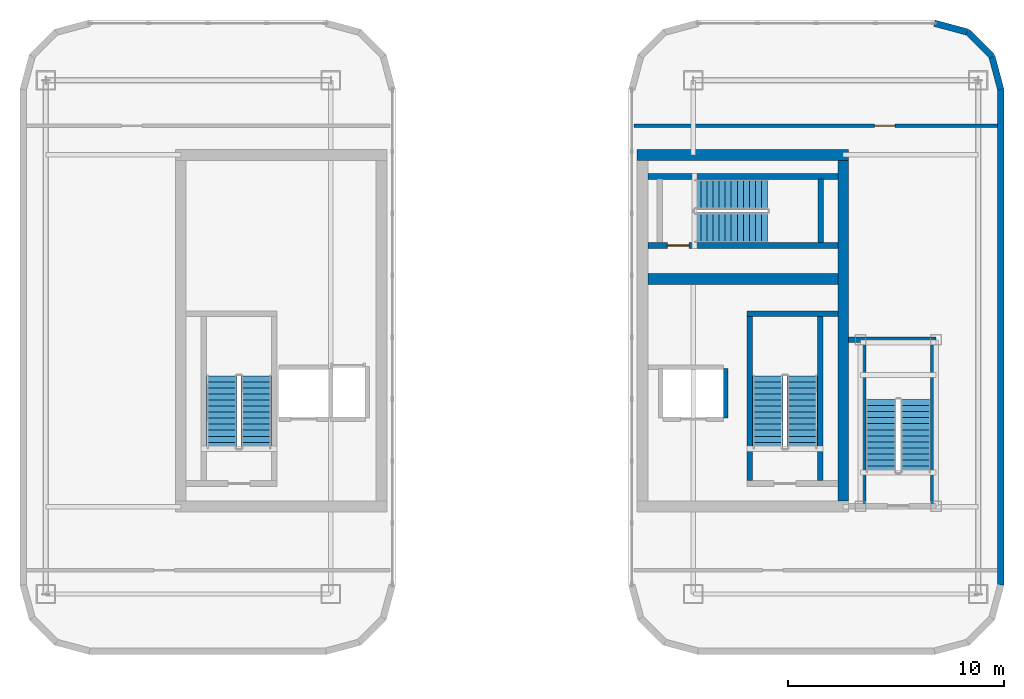
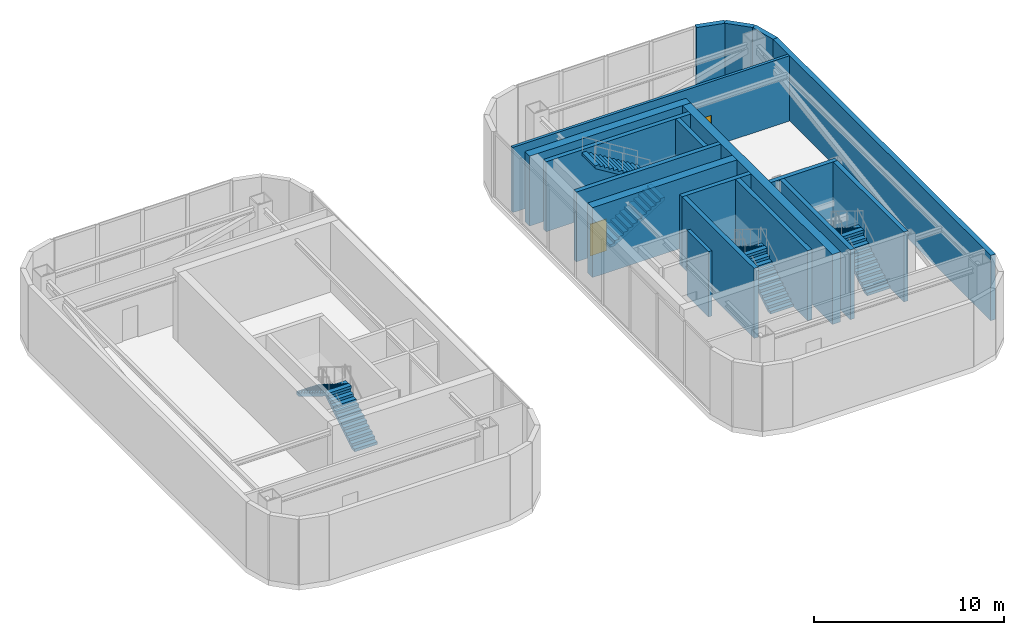
# One storey, part 12 of 14: 18 walls, 8 stair flights, 2 doors, 2 openings, 4 elements without a shape of their own.
"""IFC4 building model written with IfcOpenShell, lengths in metres."""

from ifc_helpers import new_model, si_unit, direction, frame, frame_2d, origin, place, context, subcontext, project, spatial, polyline, rectangle, outline, extrude, material, layer, layer_set, type_object, element, fill, aggregate, save


model = new_model("IFC4")

# Units and contexts
model_context = context("Model", 3, precision=1e-05, world=origin(), true_north=direction((0.0, 1.0)))
body_context = subcontext(model_context, "Body", "Model", "MODEL_VIEW")
ifc_project = project(units=[si_unit("LENGTHUNIT", "METRE"), si_unit("AREAUNIT", "SQUARE_METRE"), si_unit("VOLUMEUNIT", "CUBIC_METRE"), si_unit("PLANEANGLEUNIT", "RADIAN"), si_unit("MASSUNIT", "GRAM", prefix="KILO")], contexts=[model_context])

# Site, building, storey
site_placement = place(None, origin())
site = spatial("IfcSite", under=ifc_project, at=site_placement, CompositionType="ELEMENT")
building_placement = place(site_placement, origin())
building = spatial("IfcBuilding", under=site, at=building_placement, Name="Kiyonajd Concourse Tower", CompositionType="ELEMENT")
storey_placement = place(building_placement, frame((0.0, 0.0, 359.39990234375)))
storey = spatial("IfcBuildingStorey", under=building, at=storey_placement, Name="L90", CompositionType="ELEMENT", Elevation=359.39990234375)

# Walls
ifc_material_1 = material(Name="Concrete C60/75", Category="concrete")
ifc_layer_1 = layer(ifc_material_1, 0.5)
ifc_layer_set_1 = layer_set([ifc_layer_1], Name="Concrete C60/75")
wall_type_1 = type_object("IfcWallType", Name="WL-CORE-500", PredefinedType="SHEAR", material=ifc_layer_set_1)
wall_1_placement = place(storey_placement, frame((63.35009765625, 28.10009765625, 0.0), z_axis=(0.0, 0.0, 1.0), x_axis=(0.0, 1.0, 0.0)))
element("IfcWall", 1, at=wall_1_placement, inside=storey, type_object=wall_type_1, Name="L90 East Crown Outer Core Wall", PredefinedType="SHEAR", context=body_context, shape_type="SweptSolid", body=[
    extrude(rectangle(XDim=15.7998046875, YDim=0.5, at=frame_2d((7.89990234375, 0.0))), origin(), (0.0, 0.0, 1.0), 4.5),
])
wall_2_placement = place(storey_placement, frame((53.800048828125, 44.14990234375, 0.0), z_axis=(0.0, 0.0, 1.0), x_axis=(1.0, 0.0, 0.0)))
element("IfcWall", 2, at=wall_2_placement, inside=storey, type_object=wall_type_1, Name="L90 East Crown North Core Wall", PredefinedType="SHEAR", context=body_context, shape_type="SweptSolid", body=[
    extrude(rectangle(XDim=9.800048828125, YDim=0.5, at=frame_2d((4.89990234375, 0.0))), origin(), (0.0, 0.0, 1.0), 4.5),
])
wall_3_placement = place(storey_placement, frame((54.300048828125, 38.39990234375, 0.0), z_axis=(0.0, 0.0, 1.0), x_axis=(1.0, 0.0, 0.0)))
element("IfcWall", 3, at=wall_3_placement, inside=storey, type_object=wall_type_1, Name="L90 East Crown Mast Cross Shear Wall", PredefinedType="SHEAR", context=body_context, shape_type="SweptSolid", body=[
    extrude(rectangle(XDim=8.800048828125, YDim=0.5, at=frame_2d((4.39990234375, 0.0))), origin(), (0.0, 0.0, 1.0), 4.5),
])
ifc_material_2 = material(Name="Precast concrete C50/60", Category="concrete")
ifc_layer_2 = layer(ifc_material_2, 0.300048828125)
ifc_layer_set_2 = layer_set([ifc_layer_2], Name="Precast concrete C50/60")
wall_type_2 = type_object("IfcWallType", Name="WL-CRN-300", PredefinedType="SOLIDWALL", material=ifc_layer_set_2)
wall_4_placement = place(storey_placement, frame((67.580078125, 50.25, 0.0), z_axis=(0.0, 0.0, 1.0), x_axis=(0.96587363116, -0.259013761467, 0.0)))
element("IfcWall", 4, at=wall_4_placement, inside=storey, type_object=wall_type_2, Name="L90 E Crown Enclosure Wall 06", PredefinedType="SOLIDWALL", context=body_context, shape_type="SweptSolid", body=[
    extrude(rectangle(XDim=1.5966796875, YDim=0.300048828125, at=frame_2d((0.79833984375, 0.0))), origin(), (0.0, 0.0, 1.0), 4.2001953125),
])
wall_5_placement = place(storey_placement, frame((69.122314453125, 49.83642578125, 0.0), z_axis=(0.0, 0.0, 1.0), x_axis=(0.707184251115, -0.707029302769, 0.0)))
element("IfcWall", 5, at=wall_5_placement, inside=storey, type_object=wall_type_2, Name="L90 E Crown Enclosure Wall 07", PredefinedType="SOLIDWALL", context=body_context, shape_type="SweptSolid", body=[
    extrude(rectangle(XDim=1.57568359375, YDim=0.300048828125, at=frame_2d((0.787841796875, 0.0))), origin(), (0.0, 0.0, 1.0), 4.2001953125),
])
wall_6_placement = place(storey_placement, frame((70.236572265625, 48.722412109375, 0.0), z_axis=(0.0, 0.0, 1.0), x_axis=(0.258871110129, -0.965911874003, 0.0)))
element("IfcWall", 6, at=wall_6_placement, inside=storey, type_object=wall_type_2, Name="L90 E Crown Enclosure Wall 08", PredefinedType="SOLIDWALL", context=body_context, shape_type="SweptSolid", body=[
    extrude(rectangle(XDim=1.5966796875, YDim=0.300048828125, at=frame_2d((0.79833984375, 0.0))), origin(), (0.0, 0.0, 1.0), 4.2001953125),
])
wall_7_placement = place(storey_placement, frame((70.64990234375, 47.18017578125, 0.0), z_axis=(0.0, 0.0, 1.0), x_axis=(0.0, -1.0, 0.0)))
element("IfcWall", 7, at=wall_7_placement, inside=storey, type_object=wall_type_2, Name="L90 E Crown Enclosure Wall 09", PredefinedType="SOLIDWALL", context=body_context, shape_type="SweptSolid", body=[
    extrude(rectangle(XDim=22.96044921875, YDim=0.300048828125, at=frame_2d((11.480224609375, 0.0))), origin(), (0.0, 0.0, 1.0), 4.2001953125),
])
ifc_material_3 = material(Name="Gypsum Board on Cold-Formed Steel Stud", Category="steel")
ifc_layer_3 = layer(ifc_material_3, 0.2099609375)
ifc_layer_set_3 = layer_set([ifc_layer_3], Name="Gypsum Board on Cold-Formed Steel Stud")
wall_type_3 = type_object("IfcWallType", Name="WL-SHAFT-210", PredefinedType="PARTITIONING", material=ifc_layer_set_3)
wall_8_placement = place(storey_placement, frame((57.89990234375, 31.9599609375, 0.0), z_axis=(0.0, 0.0, 1.0), x_axis=(0.0, 1.0, 0.0)))
element("IfcWall", 8, at=wall_8_placement, inside=storey, type_object=wall_type_3, Name="L90 Shaft Enclosure Wall", PredefinedType="PARTITIONING", context=body_context, shape_type="SweptSolid", body=[
    extrude(rectangle(XDim=2.280029296875, YDim=0.2099609375, at=frame_2d((1.14013671875, 0.0))), origin(), (0.0, 0.0, 1.0), 4.2001953125),
])

# Wall, opening, door
ifc_layer_4 = layer(ifc_material_3, 0.169921875)
ifc_layer_set_4 = layer_set([ifc_layer_4], Name="Gypsum Board on Cold-Formed Steel Stud")
wall_type_4 = type_object("IfcWallType", Name="WL-SMK-170", PredefinedType="PARTITIONING", material=ifc_layer_set_4)
wall_9_placement = place(storey_placement, frame((53.655029296875, 45.5, 0.0), z_axis=(0.0, 0.0, 1.0), x_axis=(1.0, 0.0, 0.0)))
wall_9 = element("IfcWall", 9, at=wall_9_placement, inside=storey, type_object=wall_type_4, Name="L90 Interior Partition Wall", PredefinedType="PARTITIONING", context=body_context, shape_type="SweptSolid", body=[
    extrude(rectangle(XDim=16.849853515625, YDim=0.169921875, at=frame_2d((8.4248046875, 0.0))), origin(), (0.0, 0.0, 1.0), 4.2001953125),
])
opening_1_placement = place(wall_9_placement, frame((11.14501953125, 0.0, 0.0)))
opening_1 = element("IfcOpeningElement", 10, at=opening_1_placement, cuts=wall_9, Name="Opening DF3", PredefinedType="OPENING", context=body_context, shape_type="SweptSolid", body=[
    extrude(rectangle(XDim=0.949951171875, YDim=2.0400390625, at=frame_2d((0.47509765625, 1.02001953125))), frame((0.0, 0.094970703125, 0.0), z_axis=(0.0, -1.0, 0.0), x_axis=(1.0, 0.0, 0.0)), (0.0, 0.0, 1.0), 0.18994140625),
])
ifc_material_4 = material(Name="Brushed Stainless Steel Cab Assembly", Category="steel")
door_type_1 = type_object("IfcDoorType", Name="DR-FD60-950", OperationType="NOTDEFINED", PredefinedType="DOOR", material=ifc_material_4)
door_1_placement = place(opening_1_placement, origin())
door_1 = element("IfcDoor", 11, at=door_1_placement, inside=storey, type_object=door_type_1, Name="L90 Interior Door", OperationType="SINGLE_SWING_LEFT", OverallHeight=2.0400390625, OverallWidth=0.949951171875, PredefinedType="DOOR", context=body_context, shape_type="SweptSolid", body=[
    extrude(rectangle(XDim=0.949951171875, YDim=2.0400390625, at=frame_2d((0.47509765625, 1.02001953125))), frame((0.0, 0.02490234375, 0.0), z_axis=(0.0, -1.0, 0.0), x_axis=(1.0, 0.0, 0.0)), (0.0, 0.0, 1.0), 0.050048828125),
])
fill(opening_1, door_1)

# Walls
ifc_material_5 = material(Name="Concrete C50/60", Category="concrete")
ifc_layer_5 = layer(ifc_material_5, 0.260009765625)
ifc_layer_set_5 = layer_set([ifc_layer_5], Name="Concrete C50/60")
wall_type_5 = type_object("IfcWallType", Name="WL-STAIR-260", PredefinedType="SHEAR", material=ifc_layer_set_5)
wall_10_placement = place(storey_placement, frame((58.889892578125, 36.780029296875, 0.0), z_axis=(0.0, 0.0, 1.0), x_axis=(1.0, 0.0, 0.0)))
element("IfcWall", 12, at=wall_10_placement, inside=storey, type_object=wall_type_5, Name="L90 Stair ST2 Structural North Wall", PredefinedType="SHEAR", context=body_context, shape_type="SweptSolid", body=[
    extrude(rectangle(XDim=4.210205078125, YDim=0.260009765625, at=frame_2d((2.10498046875, 0.0))), origin(), (0.0, 0.0, 1.0), 4.5),
])
for number, where, z_axis, x_axis, name in (
    (13, (59.02001953125, 29.050048828125, 0.0), (0.0, 0.0, 1.0), (0.0, 1.0, 0.0), "L90 Stair ST2 Structural West Wall"),
    (14, (62.280029296875, 29.050048828125, 0.0), (0.0, 0.0, 1.0), (0.0, 1.0, 0.0), "L90 Stair ST2 Structural East Wall"),
):
    element("IfcWall", number, at=place(storey_placement, frame(where, z_axis=z_axis, x_axis=x_axis)), inside=storey, type_object=wall_type_5, Name=name, PredefinedType="SHEAR", context=body_context, shape_type="SweptSolid", body=[
        extrude(rectangle(XDim=7.599853515625, YDim=0.260009765625, at=frame_2d((3.7998046875, 0.0))), origin(), (0.0, 0.0, 1.0), 4.5),
    ])

# Wall, opening, door
wall_11_placement = place(storey_placement, frame((54.300048828125, 39.949951171875, 0.0), z_axis=(0.0, 0.0, 1.0), x_axis=(1.0, 0.0, 0.0)))
wall_11 = element("IfcWall", 15, at=wall_11_placement, inside=storey, type_object=wall_type_5, Name="L90 Stair ST3 Structural South Wall", PredefinedType="SHEAR", context=body_context, shape_type="SweptSolid", body=[
    extrude(rectangle(XDim=8.800048828125, YDim=0.260009765625, at=frame_2d((4.39990234375, 0.0))), origin(), (0.0, 0.0, 1.0), 4.5),
])
opening_2_placement = place(wall_11_placement, frame((0.89990234375, 0.0, 0.0)))
opening_2 = element("IfcOpeningElement", 16, at=opening_2_placement, cuts=wall_11, Name="Opening DF1", PredefinedType="OPENING", context=body_context, shape_type="SweptSolid", body=[
    extrude(rectangle(XDim=1.0, YDim=2.0400390625, at=frame_2d((0.5, 1.02001953125))), frame((0.0, 0.139892578125, 0.0), z_axis=(0.0, -1.0, 0.0), x_axis=(1.0, 0.0, 0.0)), (0.0, 0.0, 1.0), 0.280029296875),
])
door_type_2 = type_object("IfcDoorType", Name="DR-FD90-1000", OperationType="NOTDEFINED", PredefinedType="DOOR", material=ifc_material_4)
door_2_placement = place(opening_2_placement, origin())
door_2 = element("IfcDoor", 17, at=door_2_placement, inside=storey, type_object=door_type_2, Name="L90 Stair ST3 Enclosure Door", OperationType="SINGLE_SWING_LEFT", OverallHeight=2.0400390625, OverallWidth=1.0, PredefinedType="DOOR", context=body_context, shape_type="SweptSolid", body=[
    extrude(rectangle(XDim=1.0, YDim=2.0400390625, at=frame_2d((0.5, 1.02001953125))), frame((0.0, 0.02490234375, 0.0), z_axis=(0.0, -1.0, 0.0), x_axis=(1.0, 0.0, 0.0)), (0.0, 0.0, 1.0), 0.050048828125),
])
fill(opening_2, door_2)

# Walls
wall_12_placement = place(storey_placement, frame((54.300048828125, 43.14990234375, 0.0), z_axis=(0.0, 0.0, 1.0), x_axis=(1.0, 0.0, 0.0)))
element("IfcWall", 18, at=wall_12_placement, inside=storey, type_object=wall_type_5, Name="L90 Stair ST3 Structural North Wall", PredefinedType="SHEAR", context=body_context, shape_type="SweptSolid", body=[
    extrude(rectangle(XDim=8.800048828125, YDim=0.260009765625, at=frame_2d((4.39990234375, 0.0))), origin(), (0.0, 0.0, 1.0), 4.5),
])
wall_13_placement = place(storey_placement, frame((62.31005859375, 40.080078125, 0.0), z_axis=(0.0, 0.0, 1.0), x_axis=(0.0, 1.0, 0.0)))
element("IfcWall", 19, at=wall_13_placement, inside=storey, type_object=wall_type_5, Name="L90 Stair ST3 Structural East Wall", PredefinedType="SHEAR", context=body_context, shape_type="SweptSolid", body=[
    extrude(rectangle(XDim=2.93994140625, YDim=0.260009765625, at=frame_2d((1.469970703125, 0.0))), origin(), (0.0, 0.0, 1.0), 4.5),
])
wall_14_placement = place(storey_placement, frame((63.60009765625, 35.580078125, 0.0), z_axis=(0.0, 0.0, 1.0), x_axis=(1.0, 0.0, 0.0)))
element("IfcWall", 20, at=wall_14_placement, inside=storey, type_object=wall_type_5, Name="L90 Stair ST6 Structural North Wall", PredefinedType="SHEAR", context=body_context, shape_type="SweptSolid", body=[
    extrude(rectangle(XDim=4.059814453125, YDim=0.260009765625, at=frame_2d((2.02978515625, 0.0))), origin(), (0.0, 0.0, 1.0), 4.5),
])
for number, where, z_axis, x_axis, name in (
    (21, (64.27001953125, 28.0, 0.0), (0.0, 0.0, 1.0), (0.0, 1.0, 0.0), "L90 Stair ST6 Structural West Wall"),
    (22, (67.530029296875, 28.0, 0.0), (0.0, 0.0, 1.0), (0.0, 1.0, 0.0), "L90 Stair ST6 Structural East Wall"),
):
    element("IfcWall", number, at=place(storey_placement, frame(where, z_axis=z_axis, x_axis=x_axis)), inside=storey, type_object=wall_type_5, Name=name, PredefinedType="SHEAR", context=body_context, shape_type="SweptSolid", body=[
        extrude(rectangle(XDim=7.449951171875, YDim=0.260009765625, at=frame_2d((3.72509765625, 0.0))), origin(), (0.0, 0.0, 1.0), 4.5),
    ])

# Stair, stair flights
ifc_material_6 = material(Name="Concrete C40/50", Category="concrete")
stair_type = type_object("IfcStairType", Name="ST-DLG-26R", PredefinedType="HALF_TURN_STAIR", material=ifc_material_6)
stair_1_placement = place(storey_placement, origin())
stair_1 = element("IfcStair", 23, at=stair_1_placement, inside=storey, type_object=stair_type, Name="L90 Protected Exit Stair ST1", PredefinedType="HALF_TURN_STAIR")
stair_flight_type = type_object("IfcStairFlightType", Name="SF-STR-26R", PredefinedType="STRAIGHT", material=ifc_material_6)
stair_flight_1_placement = place(storey_placement, frame((36.14990234375, 30.550048828125, 0.0), z_axis=(0.0, 0.0, 1.0), x_axis=(0.0, 1.0, 0.0)))
stair_flight_1 = element("IfcStairFlight", 24, at=stair_flight_1_placement, type_object=stair_flight_type, Name="ST1 flight 1", NumberOfRisers=13, NumberOfTreads=12, PredefinedType="STRAIGHT", RiserHeight=0.173076923, TreadLength=0.28, context=body_context, shape_type="SweptSolid", body=[
    extrude(outline(polyline([(0.0, 0.0), (0.0, 0.173095703125), (0.280029296875, 0.173095703125), (0.280029296875, 0.34619140625), (0.56005859375, 0.34619140625), (0.56005859375, 0.519287109375), (0.840087890625, 0.519287109375), (0.840087890625, 0.6923828125), (1.1201171875, 0.6923828125), (1.1201171875, 0.865478515625), (1.39990234375, 0.865478515625), (1.39990234375, 1.03857421875), (1.679931640625, 1.03857421875), (1.679931640625, 1.21142578125), (1.9599609375, 1.21142578125), (1.9599609375, 1.384521484375), (2.239990234375, 1.384521484375), (2.239990234375, 1.5576171875), (2.52001953125, 1.5576171875), (2.52001953125, 1.730712890625), (2.800048828125, 1.730712890625), (2.800048828125, 1.90380859375), (3.080078125, 1.90380859375), (3.080078125, 2.076904296875), (3.360107421875, 2.076904296875), (3.360107421875, 2.25), (3.360107421875, 1.900634765625), (0.28515625, 0.0), (0.0, 0.0)])), frame((0.0, 0.699951171875, 0.0), z_axis=(0.0, -1.0, 0.0), x_axis=(1.0, 0.0, 0.0)), (0.0, 0.0, 1.0), 1.39990234375),
])
stair_flight_2_placement = place(storey_placement, frame((34.550048828125, 33.909912109375, 2.25), z_axis=(0.0, 0.0, 1.0), x_axis=(0.0, -1.0, 0.0)))
stair_flight_2 = element("IfcStairFlight", 25, at=stair_flight_2_placement, type_object=stair_flight_type, Name="ST1 flight 2", NumberOfRisers=13, NumberOfTreads=12, PredefinedType="STRAIGHT", RiserHeight=0.173076923, TreadLength=0.28, context=body_context, shape_type="SweptSolid", body=[
    extrude(outline(polyline([(0.0, 0.0), (0.0, 0.173095703125), (0.280029296875, 0.173095703125), (0.280029296875, 0.34619140625), (0.56005859375, 0.34619140625), (0.56005859375, 0.519287109375), (0.840087890625, 0.519287109375), (0.840087890625, 0.6923828125), (1.1201171875, 0.6923828125), (1.1201171875, 0.865478515625), (1.39990234375, 0.865478515625), (1.39990234375, 1.03857421875), (1.679931640625, 1.03857421875), (1.679931640625, 1.21142578125), (1.9599609375, 1.21142578125), (1.9599609375, 1.384521484375), (2.239990234375, 1.384521484375), (2.239990234375, 1.5576171875), (2.52001953125, 1.5576171875), (2.52001953125, 1.730712890625), (2.800048828125, 1.730712890625), (2.800048828125, 1.90380859375), (3.080078125, 1.90380859375), (3.080078125, 2.076904296875), (3.360107421875, 2.076904296875), (3.360107421875, 2.25), (3.360107421875, 1.900634765625), (0.28515625, 0.0), (0.0, 0.0)])), frame((0.0, 0.699951171875, 0.0), z_axis=(0.0, -1.0, 0.0), x_axis=(1.0, 0.0, 0.0)), (0.0, 0.0, 1.0), 1.39990234375),
])
aggregate(stair_1, [stair_flight_1, stair_flight_2])

stair_2_placement = place(storey_placement, origin())
stair_2 = element("IfcStair", 26, at=stair_2_placement, inside=storey, type_object=stair_type, Name="L90 Protected Exit Stair ST2", PredefinedType="HALF_TURN_STAIR")
stair_flight_3_placement = place(storey_placement, frame((61.449951171875, 30.550048828125, 0.0), z_axis=(0.0, 0.0, 1.0), x_axis=(0.0, 1.0, 0.0)))
stair_flight_3 = element("IfcStairFlight", 27, at=stair_flight_3_placement, type_object=stair_flight_type, Name="ST2 flight 1", NumberOfRisers=13, NumberOfTreads=12, PredefinedType="STRAIGHT", RiserHeight=0.173076923, TreadLength=0.28, context=body_context, shape_type="SweptSolid", body=[
    extrude(outline(polyline([(0.0, 0.0), (0.0, 0.173095703125), (0.280029296875, 0.173095703125), (0.280029296875, 0.34619140625), (0.56005859375, 0.34619140625), (0.56005859375, 0.519287109375), (0.840087890625, 0.519287109375), (0.840087890625, 0.6923828125), (1.1201171875, 0.6923828125), (1.1201171875, 0.865478515625), (1.39990234375, 0.865478515625), (1.39990234375, 1.03857421875), (1.679931640625, 1.03857421875), (1.679931640625, 1.21142578125), (1.9599609375, 1.21142578125), (1.9599609375, 1.384521484375), (2.239990234375, 1.384521484375), (2.239990234375, 1.5576171875), (2.52001953125, 1.5576171875), (2.52001953125, 1.730712890625), (2.800048828125, 1.730712890625), (2.800048828125, 1.90380859375), (3.080078125, 1.90380859375), (3.080078125, 2.076904296875), (3.360107421875, 2.076904296875), (3.360107421875, 2.25), (3.360107421875, 1.900634765625), (0.28515625, 0.0), (0.0, 0.0)])), frame((0.0, 0.699951171875, 0.0), z_axis=(0.0, -1.0, 0.0), x_axis=(1.0, 0.0, 0.0)), (0.0, 0.0, 1.0), 1.39990234375),
])
stair_flight_4_placement = place(storey_placement, frame((59.85009765625, 33.909912109375, 2.25), z_axis=(0.0, 0.0, 1.0), x_axis=(0.0, -1.0, 0.0)))
stair_flight_4 = element("IfcStairFlight", 28, at=stair_flight_4_placement, type_object=stair_flight_type, Name="ST2 flight 2", NumberOfRisers=13, NumberOfTreads=12, PredefinedType="STRAIGHT", RiserHeight=0.173076923, TreadLength=0.28, context=body_context, shape_type="SweptSolid", body=[
    extrude(outline(polyline([(0.0, 0.0), (0.0, 0.173095703125), (0.280029296875, 0.173095703125), (0.280029296875, 0.34619140625), (0.56005859375, 0.34619140625), (0.56005859375, 0.519287109375), (0.840087890625, 0.519287109375), (0.840087890625, 0.6923828125), (1.1201171875, 0.6923828125), (1.1201171875, 0.865478515625), (1.39990234375, 0.865478515625), (1.39990234375, 1.03857421875), (1.679931640625, 1.03857421875), (1.679931640625, 1.21142578125), (1.9599609375, 1.21142578125), (1.9599609375, 1.384521484375), (2.239990234375, 1.384521484375), (2.239990234375, 1.5576171875), (2.52001953125, 1.5576171875), (2.52001953125, 1.730712890625), (2.800048828125, 1.730712890625), (2.800048828125, 1.90380859375), (3.080078125, 1.90380859375), (3.080078125, 2.076904296875), (3.360107421875, 2.076904296875), (3.360107421875, 2.25), (3.360107421875, 1.900634765625), (0.28515625, 0.0), (0.0, 0.0)])), frame((0.0, 0.699951171875, 0.0), z_axis=(0.0, -1.0, 0.0), x_axis=(1.0, 0.0, 0.0)), (0.0, 0.0, 1.0), 1.39990234375),
])
aggregate(stair_2, [stair_flight_3, stair_flight_4])

stair_3_placement = place(storey_placement, origin())
stair_3 = element("IfcStair", 29, at=stair_3_placement, inside=storey, type_object=stair_type, Name="L90 Protected Exit Stair ST3", PredefinedType="HALF_TURN_STAIR")
stair_flight_5_placement = place(storey_placement, frame((56.47998046875, 40.780029296875, 0.0), z_axis=(0.0, 0.0, 1.0), x_axis=(1.0, 0.0, 0.0)))
stair_flight_5 = element("IfcStairFlight", 30, at=stair_flight_5_placement, type_object=stair_flight_type, Name="ST3 flight 1", NumberOfRisers=13, NumberOfTreads=12, PredefinedType="STRAIGHT", RiserHeight=0.173076923, TreadLength=0.28, context=body_context, shape_type="SweptSolid", body=[
    extrude(outline(polyline([(0.0, 0.0), (0.0, 0.173095703125), (0.280029296875, 0.173095703125), (0.280029296875, 0.34619140625), (0.56005859375, 0.34619140625), (0.56005859375, 0.519287109375), (0.840087890625, 0.519287109375), (0.840087890625, 0.6923828125), (1.1201171875, 0.6923828125), (1.1201171875, 0.865478515625), (1.39990234375, 0.865478515625), (1.39990234375, 1.03857421875), (1.679931640625, 1.03857421875), (1.679931640625, 1.21142578125), (1.9599609375, 1.21142578125), (1.9599609375, 1.384521484375), (2.239990234375, 1.384521484375), (2.239990234375, 1.5576171875), (2.52001953125, 1.5576171875), (2.52001953125, 1.730712890625), (2.800048828125, 1.730712890625), (2.800048828125, 1.90380859375), (3.080078125, 1.90380859375), (3.080078125, 2.076904296875), (3.360107421875, 2.076904296875), (3.360107421875, 2.25), (3.360107421875, 1.900634765625), (0.28515625, 0.0), (0.0, 0.0)])), frame((0.0, 0.699951171875, 0.0), z_axis=(0.0, -1.0, 0.0), x_axis=(1.0, 0.0, 0.0)), (0.0, 0.0, 1.0), 1.39990234375),
])
stair_flight_6_placement = place(storey_placement, frame((59.840087890625, 42.320068359375, 2.25), z_axis=(0.0, 0.0, 1.0), x_axis=(-1.0, 0.0, 0.0)))
stair_flight_6 = element("IfcStairFlight", 31, at=stair_flight_6_placement, type_object=stair_flight_type, Name="ST3 flight 2", NumberOfRisers=13, NumberOfTreads=12, PredefinedType="STRAIGHT", RiserHeight=0.173076923, TreadLength=0.28, context=body_context, shape_type="SweptSolid", body=[
    extrude(outline(polyline([(0.0, 0.0), (0.0, 0.173095703125), (0.280029296875, 0.173095703125), (0.280029296875, 0.34619140625), (0.56005859375, 0.34619140625), (0.56005859375, 0.519287109375), (0.840087890625, 0.519287109375), (0.840087890625, 0.6923828125), (1.1201171875, 0.6923828125), (1.1201171875, 0.865478515625), (1.39990234375, 0.865478515625), (1.39990234375, 1.03857421875), (1.679931640625, 1.03857421875), (1.679931640625, 1.21142578125), (1.9599609375, 1.21142578125), (1.9599609375, 1.384521484375), (2.239990234375, 1.384521484375), (2.239990234375, 1.5576171875), (2.52001953125, 1.5576171875), (2.52001953125, 1.730712890625), (2.800048828125, 1.730712890625), (2.800048828125, 1.90380859375), (3.080078125, 1.90380859375), (3.080078125, 2.076904296875), (3.360107421875, 2.076904296875), (3.360107421875, 2.25), (3.360107421875, 1.900634765625), (0.28515625, 0.0), (0.0, 0.0)])), frame((0.0, 0.699951171875, 0.0), z_axis=(0.0, -1.0, 0.0), x_axis=(1.0, 0.0, 0.0)), (0.0, 0.0, 1.0), 1.39990234375),
])
aggregate(stair_3, [stair_flight_5, stair_flight_6])

stair_4_placement = place(storey_placement, origin())
stair_4 = element("IfcStair", 32, at=stair_4_placement, inside=storey, type_object=stair_type, Name="L90 East Crown Maintenance Stair ST6", PredefinedType="HALF_TURN_STAIR")
stair_flight_7_placement = place(storey_placement, frame((66.699951171875, 29.449951171875, 0.0), z_axis=(0.0, 0.0, 1.0), x_axis=(0.0, 1.0, 0.0)))
stair_flight_7 = element("IfcStairFlight", 33, at=stair_flight_7_placement, type_object=stair_flight_type, Name="ST6 flight 1", NumberOfRisers=13, NumberOfTreads=12, PredefinedType="STRAIGHT", RiserHeight=0.173076923, TreadLength=0.28, context=body_context, shape_type="SweptSolid", body=[
    extrude(outline(polyline([(0.0, 0.0), (0.0, 0.173095703125), (0.280029296875, 0.173095703125), (0.280029296875, 0.34619140625), (0.56005859375, 0.34619140625), (0.56005859375, 0.519287109375), (0.840087890625, 0.519287109375), (0.840087890625, 0.6923828125), (1.1201171875, 0.6923828125), (1.1201171875, 0.865478515625), (1.39990234375, 0.865478515625), (1.39990234375, 1.03857421875), (1.679931640625, 1.03857421875), (1.679931640625, 1.21142578125), (1.9599609375, 1.21142578125), (1.9599609375, 1.384521484375), (2.239990234375, 1.384521484375), (2.239990234375, 1.5576171875), (2.52001953125, 1.5576171875), (2.52001953125, 1.730712890625), (2.800048828125, 1.730712890625), (2.800048828125, 1.90380859375), (3.080078125, 1.90380859375), (3.080078125, 2.076904296875), (3.360107421875, 2.076904296875), (3.360107421875, 2.25), (3.360107421875, 1.900634765625), (0.28515625, 0.0), (0.0, 0.0)])), frame((0.0, 0.699951171875, 0.0), z_axis=(0.0, -1.0, 0.0), x_axis=(1.0, 0.0, 0.0)), (0.0, 0.0, 1.0), 1.39990234375),
])
stair_flight_8_placement = place(storey_placement, frame((65.10009765625, 32.81005859375, 2.25), z_axis=(0.0, 0.0, 1.0), x_axis=(0.0, -1.0, 0.0)))
stair_flight_8 = element("IfcStairFlight", 34, at=stair_flight_8_placement, type_object=stair_flight_type, Name="ST6 flight 2", NumberOfRisers=13, NumberOfTreads=12, PredefinedType="STRAIGHT", RiserHeight=0.173076923, TreadLength=0.28, context=body_context, shape_type="SweptSolid", body=[
    extrude(outline(polyline([(0.0, 0.0), (0.0, 0.173095703125), (0.280029296875, 0.173095703125), (0.280029296875, 0.34619140625), (0.56005859375, 0.34619140625), (0.56005859375, 0.519287109375), (0.840087890625, 0.519287109375), (0.840087890625, 0.6923828125), (1.1201171875, 0.6923828125), (1.1201171875, 0.865478515625), (1.39990234375, 0.865478515625), (1.39990234375, 1.03857421875), (1.679931640625, 1.03857421875), (1.679931640625, 1.21142578125), (1.9599609375, 1.21142578125), (1.9599609375, 1.384521484375), (2.239990234375, 1.384521484375), (2.239990234375, 1.5576171875), (2.52001953125, 1.5576171875), (2.52001953125, 1.730712890625), (2.800048828125, 1.730712890625), (2.800048828125, 1.90380859375), (3.080078125, 1.90380859375), (3.080078125, 2.076904296875), (3.360107421875, 2.076904296875), (3.360107421875, 2.25), (3.360107421875, 1.900634765625), (0.28515625, 0.0), (0.0, 0.0)])), frame((0.0, 0.699951171875, 0.0), z_axis=(0.0, -1.0, 0.0), x_axis=(1.0, 0.0, 0.0)), (0.0, 0.0, 1.0), 1.39990234375),
])
aggregate(stair_4, [stair_flight_7, stair_flight_8])

save(model, "model.ifc")
